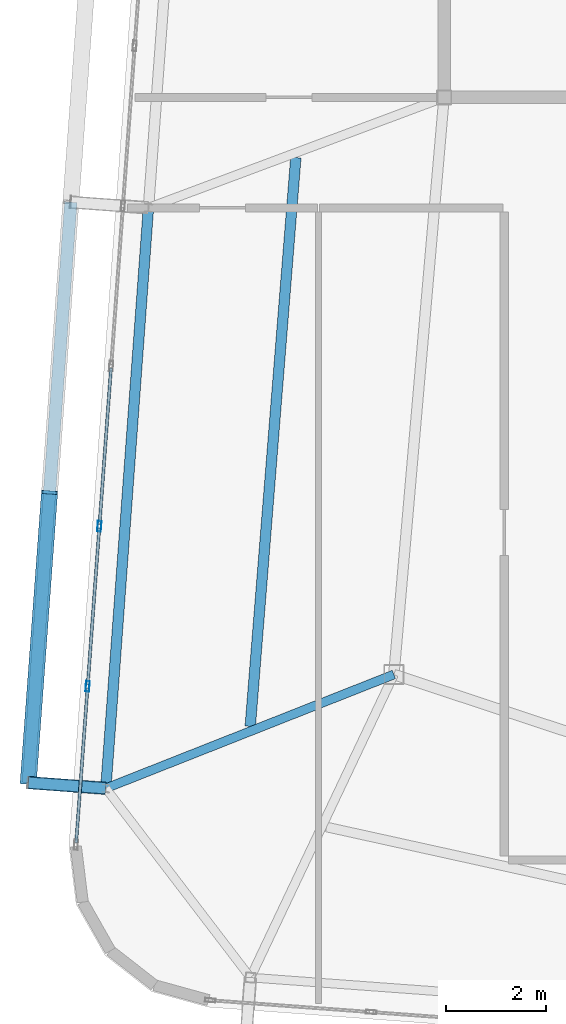
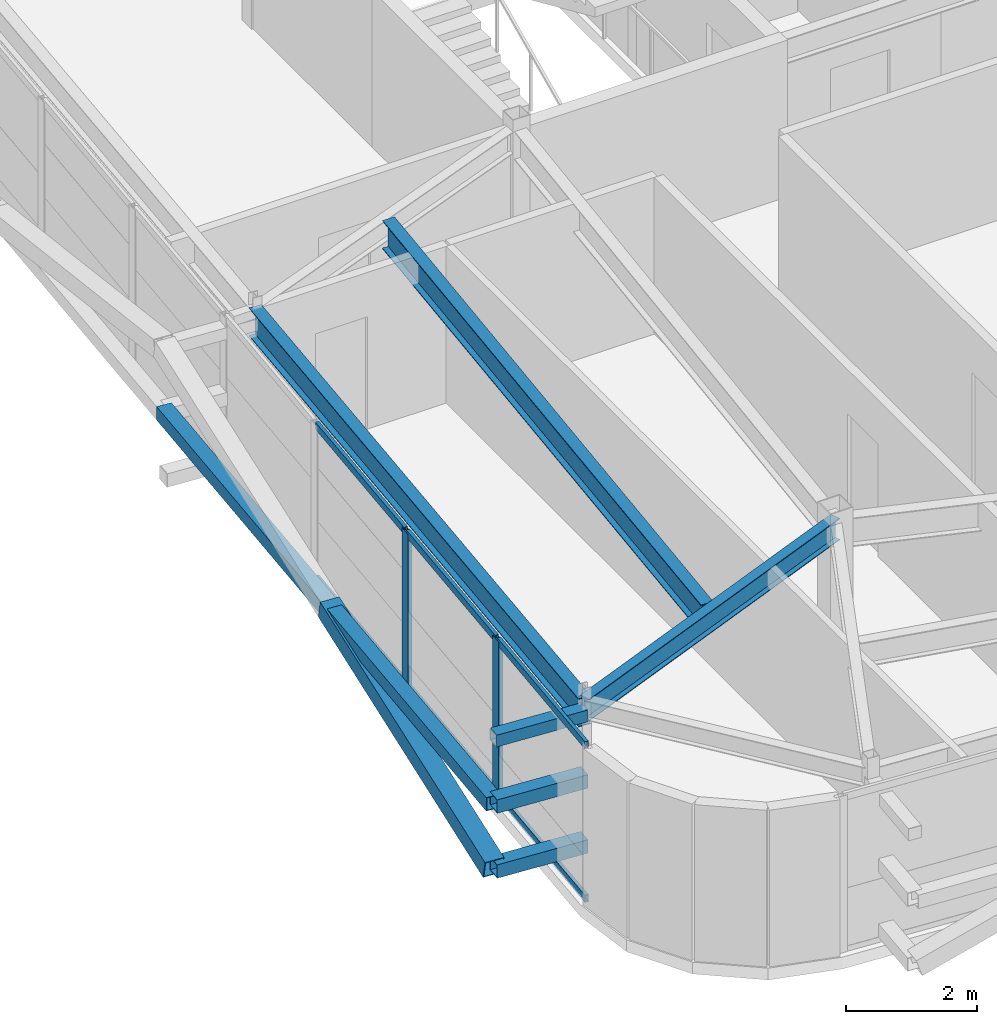
# One storey, part 11 of 42: 13 members, 3 beams, 1 element without a shape of its own.
"""IFC4 building model written with IfcOpenShell, lengths in metres."""

from ifc_helpers import new_model, si_unit, direction, frame, origin, origin_2d, place, context, subcontext, project, spatial, hollow_rectangle, i_section, extrude, source, transform, mapped, material, layer, layer_set, material_profile, profile_set, type_object, element, aggregate, save


model = new_model("IFC4")

# Units and contexts
model_context = context("Model", 3, precision=1e-05, world=origin(), true_north=direction((0.0, 1.0)))
body_context = subcontext(model_context, "Body", "Model", "MODEL_VIEW")
ifc_project = project(units=[si_unit("LENGTHUNIT", "METRE"), si_unit("AREAUNIT", "SQUARE_METRE"), si_unit("VOLUMEUNIT", "CUBIC_METRE"), si_unit("PLANEANGLEUNIT", "RADIAN"), si_unit("MASSUNIT", "GRAM", prefix="KILO")], contexts=[model_context])

# Site, building, storey
site_placement = place(None, origin())
site = spatial("IfcSite", under=ifc_project, at=site_placement, CompositionType="ELEMENT")
building_placement = place(site_placement, origin())
building = spatial("IfcBuilding", under=site, at=building_placement, Name="Taldren Reach Tower", CompositionType="ELEMENT")
storey_placement = place(building_placement, frame((0.0, 0.0, 217.699951171875)))
storey = spatial("IfcBuildingStorey", under=building, at=storey_placement, Name="L66", CompositionType="ELEMENT", Elevation=217.699951171875)

# Beams
ifc_material_1 = material(Name="Steel Gr 350 (350PLUS)", Category="steel")
ifc_material_profile_1 = material_profile(ifc_material_1, i_section(OverallWidth=0.208984375, OverallDepth=0.528076171875, WebThickness=0.009521484375, FlangeThickness=0.01318359375, at=origin_2d()), Name="530UB82.0")
ifc_profile_set_1 = profile_set([ifc_material_profile_1], Name="Steel Gr 350 (350PLUS)")
beam_type_1 = type_object("IfcBeamType", Name="SP-UB530B", PredefinedType="SPANDREL", material=ifc_profile_set_1)
shared_shape_1 = source(origin(), body_context, "Body", "SweptSolid", [
    extrude(i_section(OverallWidth=0.208984375, OverallDepth=0.528076171875, WebThickness=0.009521484375, FlangeThickness=0.01318359375, at=origin_2d()), origin(), (0.0, 0.0, 1.0), 11.60009765625),
])
beam_1_placement = place(storey_placement, frame((13.108642578125, 21.80029296875, 2.666015625), z_axis=(-0.073242167855, -0.997314185625, 0.0), x_axis=(0.997314185625, -0.073242167855, 0.0)))
element("IfcBeam", 1, at=beam_1_placement, inside=storey, type_object=beam_type_1, Name="Perimeter spandrel B5 W2-W1 L66", PredefinedType="SPANDREL", context=body_context, shape_type="MappedRepresentation", body=[
    mapped(shared_shape_1, transform((0.0, 0.0, 0.0), scale=1.0)),
])
ifc_material_profile_2 = material_profile(ifc_material_1, i_section(OverallWidth=0.177978515625, OverallDepth=0.406005859375, WebThickness=0.0078125, FlangeThickness=0.0126953125, at=origin_2d()), Name="410UB59.7")
ifc_profile_set_2 = profile_set([ifc_material_profile_2], Name="Steel Gr 350 (350PLUS)")
beam_type_2 = type_object("IfcBeamType", Name="BM-UB410", PredefinedType="BEAM", material=ifc_profile_set_2)
shared_shape_2 = source(origin(), body_context, "Body", "SweptSolid", [
    extrude(i_section(OverallWidth=0.177978515625, OverallDepth=0.406005859375, WebThickness=0.0078125, FlangeThickness=0.0126953125, at=origin_2d()), origin(), (0.0, 0.0, 1.0), 6.1728515625),
])
beam_2_placement = place(storey_placement, frame((18.0, 12.5, 2.72705078125), z_axis=(-0.930023287794, -0.367500590695, 0.0), x_axis=(0.367500590695, -0.930023287794, 0.0)))
element("IfcBeam", 2, at=beam_2_placement, inside=storey, type_object=beam_type_2, Name="Primary floor girder B5-W1 L66", PredefinedType="BEAM", context=body_context, shape_type="MappedRepresentation", body=[
    mapped(shared_shape_2, transform((0.0, 0.0, 0.0), scale=1.0)),
])
ifc_material_profile_3 = material_profile(ifc_material_1, i_section(OverallWidth=0.208984375, OverallDepth=0.532958984375, WebThickness=0.01025390625, FlangeThickness=0.015625, at=origin_2d()), Name="530UB92.4")
ifc_profile_set_3 = profile_set([ifc_material_profile_3], Name="Steel Gr 350 (350PLUS)")
beam_type_3 = type_object("IfcBeamType", Name="BM-UB530A", PredefinedType="BEAM", material=ifc_profile_set_3)
shared_shape_3 = source(origin(), body_context, "Body", "SweptSolid", [
    extrude(i_section(OverallWidth=0.208984375, OverallDepth=0.532958984375, WebThickness=0.01025390625, FlangeThickness=0.015625, at=origin_2d()), origin(), (0.0, 0.0, 1.0), 11.3740234375),
])
beam_3_placement = place(storey_placement, frame((15.137451171875, 11.464599609375, 2.66357421875), z_axis=(0.079913287803, 0.996801819036, 0.0), x_axis=(-0.996801819036, 0.079913287803, 0.0)))
element("IfcBeam", 3, at=beam_3_placement, inside=storey, type_object=beam_type_3, Name="Secondary floor beam B5 J6 L66", PredefinedType="BEAM", context=body_context, shape_type="MappedRepresentation", body=[
    mapped(shared_shape_3, transform((0.0, 0.0, 0.0), scale=1.0)),
])

# Members
ifc_material_2 = material(Name="Steel Gr 450 (C450L0)", Category="steel")
ifc_material_profile_4 = material_profile(ifc_material_2, hollow_rectangle(XDim=0.219970703125, YDim=0.219970703125, WallThickness=0.00830078125, at=origin_2d()), Name="220x220x8.2SHS")
ifc_profile_set_4 = profile_set([ifc_material_profile_4], Name="Steel Gr 450 (C450L0)")
member_type_1 = type_object("IfcMemberType", Name="MB-TIE219", PredefinedType="STRUT", material=ifc_profile_set_4)
shared_shape_4 = source(origin(), body_context, "Body", "SweptSolid", [
    extrude(hollow_rectangle(XDim=0.219970703125, YDim=0.219970703125, WallThickness=0.00830078125, at=origin_2d()), origin(), (0.0, 0.0, 1.0), 1.5458984375),
])
member_1_placement = place(storey_placement, frame((12.255126953125, 10.231689453125, 2.650146484375), z_axis=(-0.997311530447, 0.073278313559, 0.0), x_axis=(-0.073278313559, -0.997311530447, 0.0)))
element("IfcMember", 4, at=member_1_placement, inside=storey, type_object=member_type_1, Name="Exoskeleton diaphragm tie strut B5-W1 L66", PredefinedType="STRUT", context=body_context, shape_type="MappedRepresentation", body=[
    mapped(shared_shape_4, transform((0.0, 0.0, 0.0), scale=1.0)),
])
ifc_material_profile_5 = material_profile(ifc_material_2, hollow_rectangle(XDim=0.324951171875, YDim=0.324951171875, WallThickness=0.0126953125, at=origin_2d()), Name="325x325x12.7SHS")
ifc_profile_set_5 = profile_set([ifc_material_profile_5], Name="Steel Gr 450 (C450L0)")
member_type_2 = type_object("IfcMemberType", Name="MB-BR324", PredefinedType="BRACE", material=ifc_profile_set_5)
shared_shape_5 = source(origin(), body_context, "Body", "SweptSolid", [
    extrude(hollow_rectangle(XDim=0.324951171875, YDim=0.324951171875, WallThickness=0.0126953125, at=origin_2d()), origin(), (0.0, 0.0, 1.0), 5.92578125),
])
member_2_placement = place(storey_placement, frame((10.71337890625, 10.344970703125, 0.219970703125), z_axis=(0.071644948114, 0.976126368983, 0.205047099921), x_axis=(-0.997317259472, 0.073200300267, 0.0)))
element("IfcMember", 5, at=member_2_placement, inside=storey, type_object=member_type_2, Name="Exoskeleton Diagrid Brace B5-W1 L66", PredefinedType="BRACE", context=body_context, shape_type="MappedRepresentation", body=[
    mapped(shared_shape_5, transform((0.0, 0.0, 0.0), scale=1.0)),
])
ifc_material_3 = material(Name="Steel Gr 350 (C350L0)", Category="steel")
ifc_material_profile_6 = material_profile(ifc_material_3, hollow_rectangle(XDim=0.25, YDim=0.25, WallThickness=0.010009765625, at=origin_2d()), Name="250x250x10.0SHS")
ifc_profile_set_6 = profile_set([ifc_material_profile_6], Name="Steel Gr 350 (C350L0)")
member_type_3 = type_object("IfcMemberType", Name="MB-POST250", PredefinedType="POST", material=ifc_profile_set_6)
shared_shape_6 = source(origin(), body_context, "Body", "SweptSolid", [
    extrude(hollow_rectangle(XDim=0.25, YDim=0.25, WallThickness=0.010009765625, at=origin_2d()), origin(), (0.0, 0.0, 1.0), 11.60009765625),
])
member_3_placement = place(storey_placement, frame((10.71337890625, 10.344970703125, 1.43505859375), z_axis=(0.073221234109, 0.997315722766, 0.0), x_axis=(-0.997315722766, 0.073221234109, 0.0)))
element("IfcMember", 6, at=member_3_placement, inside=storey, type_object=member_type_3, Name="Exoskeleton mid-height ring chord B5-W1 L66", PredefinedType="POST", context=body_context, shape_type="MappedRepresentation", body=[
    mapped(shared_shape_6, transform((0.0, 0.0, 0.0), scale=1.0)),
])
shared_shape_7 = source(origin(), body_context, "Body", "SweptSolid", [
    extrude(hollow_rectangle(XDim=0.25, YDim=0.25, WallThickness=0.010009765625, at=origin_2d()), origin(), (0.0, 0.0, 1.0), 1.5458984375),
])
for number, where, z_axis, x_axis, name in (
    (7, (12.255126953125, 10.231689453125, 0.219970703125), (-0.997311530447, 0.073278313559, 0.0), (-0.073278313559, -0.997311530447, 0.0), "Exoskeleton base diaphragm tie strut B5-W1 L66"),
    (8, (12.255126953125, 10.231689453125, 1.43505859375), (-0.997311530447, 0.073278313559, 0.0), (-0.073278313559, -0.997311530447, 0.0), "Exoskeleton mid-tier diaphragm tie B5-W1 L66"),
):
    element("IfcMember", number, at=place(storey_placement, frame(where, z_axis=z_axis, x_axis=x_axis)), inside=storey, type_object=member_type_3, Name=name, PredefinedType="POST", context=body_context, shape_type="MappedRepresentation", body=[
        mapped(shared_shape_7, transform((0.0, 0.0, 0.0), scale=1.0)),
    ])

# Curtain wall, members
ifc_material_4 = material(Name="Aluminium and Low-E Glass Unitised System", Category="aluminium")
ifc_layer = layer(ifc_material_4, 0.159912109375)
ifc_layer_set = layer_set([ifc_layer], Name="Aluminium and Low-E Glass Unitised System")
curtain_wall_type = type_object("IfcCurtainWallType", Name="CW-SYS-6", PredefinedType="NOTDEFINED", material=ifc_layer_set)
curtain_wall_placement = place(storey_placement, origin())
curtain_wall = element("IfcCurtainWall", 9, at=curtain_wall_placement, inside=storey, type_object=curtain_wall_type, Name="Unitised curtain wall CW-L66-W", PredefinedType="NOTDEFINED")
ifc_material_5 = material(Name="Anodised Aluminium 6063-T6", Category="aluminium")
ifc_material_profile_7 = material_profile(ifc_material_5, hollow_rectangle(XDim=0.074951171875, YDim=0.2099609375, WallThickness=0.00439453125, at=origin_2d()), Name="ALU-210x75x4.5RHS")
ifc_profile_set_7 = profile_set([ifc_material_profile_7], Name="Anodised Aluminium 6063-T6")
member_type_4 = type_object("IfcMemberType", Name="CW-MUL-200", PredefinedType="MULLION", material=ifc_profile_set_7)
shared_shape_8 = source(origin(), body_context, "Body", "SweptSolid", [
    extrude(hollow_rectangle(XDim=0.074951171875, YDim=0.2099609375, WallThickness=0.00439453125, at=origin_2d()), origin(), (0.0, 0.0, 1.0), 2.929931640625),
])
member_4_placement = place(storey_placement, frame((12.13134765625, 15.454833984375, 0.0), z_axis=(0.0, 0.0, 1.0), x_axis=(0.997314470951, -0.073238282558, 0.0)))
member_4 = element("IfcMember", 10, at=member_4_placement, type_object=member_type_4, Name="CW-6 mullion 7", PredefinedType="MULLION", context=body_context, shape_type="MappedRepresentation", body=[
    mapped(shared_shape_8, transform((0.0, 0.0, 0.0), scale=1.0)),
])
member_5_placement = place(storey_placement, frame((11.89697265625, 12.263427734375, 0.0), z_axis=(0.0, 0.0, 1.0), x_axis=(0.997314470951, -0.073238282558, 0.0)))
member_5 = element("IfcMember", 11, at=member_5_placement, type_object=member_type_4, Name="CW-6 mullion 8", PredefinedType="MULLION", context=body_context, shape_type="MappedRepresentation", body=[
    mapped(shared_shape_8, transform((0.0, 0.0, 0.0), scale=1.0)),
])
ifc_material_profile_8 = material_profile(ifc_material_5, hollow_rectangle(XDim=0.06005859375, YDim=0.135009765625, WallThickness=0.00341796875, at=origin_2d()), Name="ALU-135x60x3.5RHS")
ifc_profile_set_8 = profile_set([ifc_material_profile_8], Name="Anodised Aluminium 6063-T6")
member_type_5 = type_object("IfcMemberType", Name="CW-TRN-150", PredefinedType="USERDEFINED", material=ifc_profile_set_8)
shared_shape_9 = source(origin(), body_context, "Body", "SweptSolid", [
    extrude(hollow_rectangle(XDim=0.06005859375, YDim=0.135009765625, WallThickness=0.00341796875, at=origin_2d()), origin(), (0.0, 0.0, 1.0), 3.125),
])
member_6_placement = place(storey_placement, frame((12.363037109375, 18.60888671875, 0.030029296875), z_axis=(-0.073278879567, -0.997311488859, 0.0), x_axis=(0.997311488859, -0.073278879567, 0.0)))
member_6 = element("IfcMember", 12, at=member_6_placement, type_object=member_type_5, Name="CW-6 transom 6.1", ObjectType="TRANSOM", PredefinedType="USERDEFINED", context=body_context, shape_type="MappedRepresentation", body=[
    mapped(shared_shape_9, transform((0.0, 0.0, 0.0), scale=1.0)),
])
member_7_placement = place(storey_placement, frame((12.363037109375, 18.60888671875, 2.900146484375), z_axis=(-0.073278879567, -0.997311488859, 0.0), x_axis=(0.997311488859, -0.073278879567, 0.0)))
member_7 = element("IfcMember", 13, at=member_7_placement, type_object=member_type_5, Name="CW-6 transom 6.2", ObjectType="TRANSOM", PredefinedType="USERDEFINED", context=body_context, shape_type="MappedRepresentation", body=[
    mapped(shared_shape_9, transform((0.0, 0.0, 0.0), scale=1.0)),
])
member_8_placement = place(storey_placement, frame((12.128662109375, 15.41748046875, 0.030029296875), z_axis=(-0.073278879567, -0.997311488859, 0.0), x_axis=(0.997311488859, -0.073278879567, 0.0)))
member_8 = element("IfcMember", 14, at=member_8_placement, type_object=member_type_5, Name="CW-6 transom 7.1", ObjectType="TRANSOM", PredefinedType="USERDEFINED", context=body_context, shape_type="MappedRepresentation", body=[
    mapped(shared_shape_9, transform((0.0, 0.0, 0.0), scale=1.0)),
])
member_9_placement = place(storey_placement, frame((12.128662109375, 15.41748046875, 2.900146484375), z_axis=(-0.073278879567, -0.997311488859, 0.0), x_axis=(0.997311488859, -0.073278879567, 0.0)))
member_9 = element("IfcMember", 15, at=member_9_placement, type_object=member_type_5, Name="CW-6 transom 7.2", ObjectType="TRANSOM", PredefinedType="USERDEFINED", context=body_context, shape_type="MappedRepresentation", body=[
    mapped(shared_shape_9, transform((0.0, 0.0, 0.0), scale=1.0)),
])
shared_shape_10 = source(origin(), body_context, "Body", "SweptSolid", [
    extrude(hollow_rectangle(XDim=0.06005859375, YDim=0.135009765625, WallThickness=0.00341796875, at=origin_2d()), origin(), (0.0, 0.0, 1.0), 3.087646484375),
])
member_10_placement = place(storey_placement, frame((11.894287109375, 12.22607421875, 0.030029296875), z_axis=(-0.073219257406, -0.99731586789, 0.0), x_axis=(0.99731586789, -0.073219257406, 0.0)))
member_10 = element("IfcMember", 16, at=member_10_placement, type_object=member_type_5, Name="CW-6 transom 8.1", ObjectType="TRANSOM", PredefinedType="USERDEFINED", context=body_context, shape_type="MappedRepresentation", body=[
    mapped(shared_shape_10, transform((0.0, 0.0, 0.0), scale=1.0)),
])
member_11_placement = place(storey_placement, frame((11.894287109375, 12.22607421875, 2.900146484375), z_axis=(-0.073219257406, -0.99731586789, 0.0), x_axis=(0.99731586789, -0.073219257406, 0.0)))
member_11 = element("IfcMember", 17, at=member_11_placement, type_object=member_type_5, Name="CW-6 transom 8.2", ObjectType="TRANSOM", PredefinedType="USERDEFINED", context=body_context, shape_type="MappedRepresentation", body=[
    mapped(shared_shape_10, transform((0.0, 0.0, 0.0), scale=1.0)),
])
aggregate(curtain_wall, [member_4, member_5, member_6, member_7, member_8, member_9, member_10, member_11])

save(model, "model.ifc")
